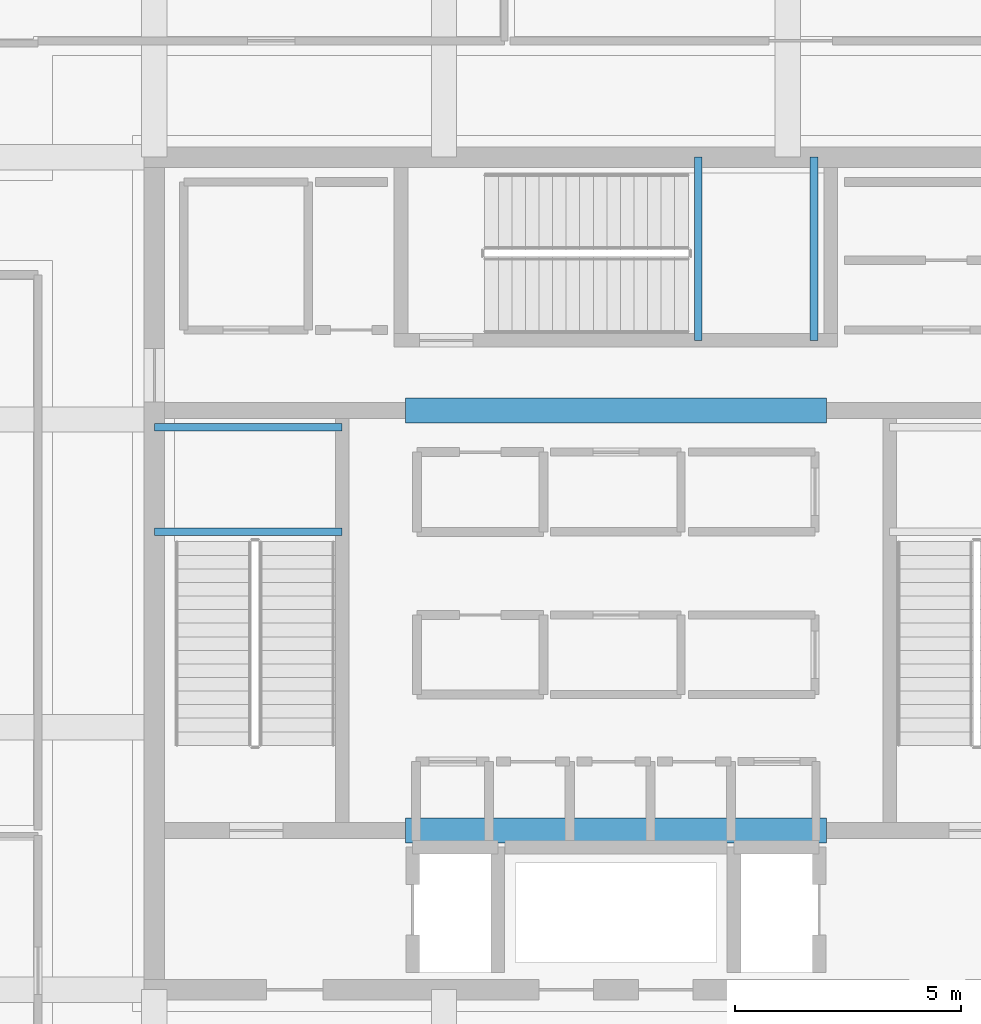
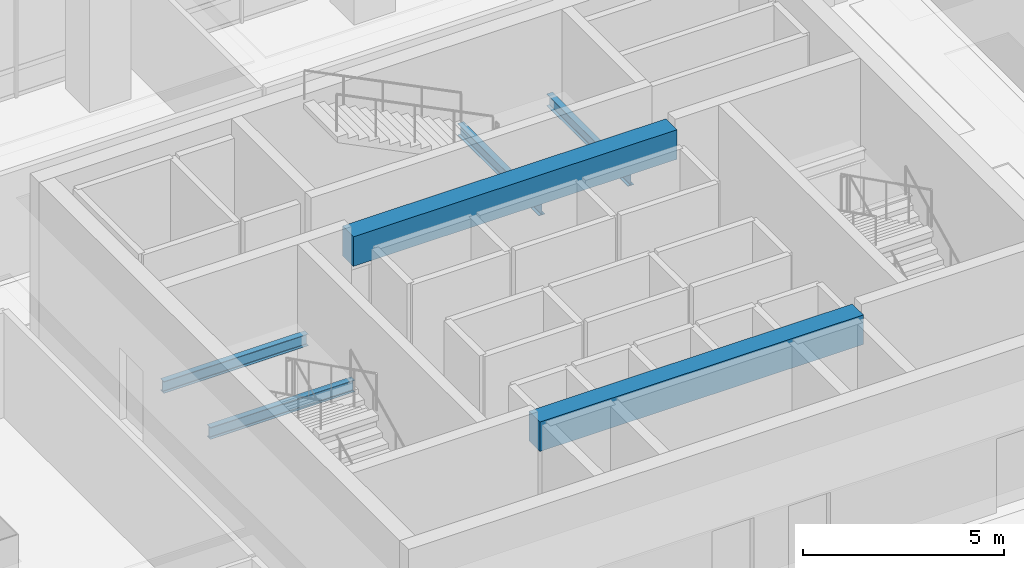
# One storey, part 15 of 45: 6 beams.
"""IFC4 building model written with IfcOpenShell, lengths in metres."""

from ifc_helpers import new_model, si_unit, direction, frame, origin, origin_2d, place, context, subcontext, project, spatial, rectangle, i_section, extrude, material, material_profile, profile_set, type_object, element, save


model = new_model("IFC4")

# Units and contexts
model_context = context("Model", 3, precision=1e-05, world=origin(), true_north=direction((0.0, 1.0)))
body_context = subcontext(model_context, "Body", "Model", "MODEL_VIEW")
ifc_project = project(units=[si_unit("LENGTHUNIT", "METRE"), si_unit("AREAUNIT", "SQUARE_METRE"), si_unit("VOLUMEUNIT", "CUBIC_METRE"), si_unit("PLANEANGLEUNIT", "RADIAN"), si_unit("MASSUNIT", "GRAM", prefix="KILO")], contexts=[model_context])

# Site, building, storey
site_placement = place(None, origin())
site = spatial("IfcSite", under=ifc_project, at=site_placement, CompositionType="ELEMENT")
building_placement = place(site_placement, origin())
building = spatial("IfcBuilding", under=site, at=building_placement, Name="Punatoya Terracotta Tower", CompositionType="ELEMENT")
storey_placement = place(building_placement, frame((0.0, 0.0, 339.0)))
storey = spatial("IfcBuildingStorey", under=building, at=storey_placement, Name="L80", CompositionType="ELEMENT", Elevation=339.0)

# Beams
ifc_material_1 = material(Name="Concrete C50/60", Category="concrete")
ifc_material_profile_1 = material_profile(ifc_material_1, rectangle(XDim=0.550048828125, YDim=0.89990234375, at=origin_2d()))
ifc_profile_set_1 = profile_set([ifc_material_profile_1], Name="Concrete C50/60")
beam_type_1 = type_object("IfcBeamType", Name="BM-RC-900", PredefinedType="LINTEL", material=ifc_profile_set_1)
for number, where, z_axis, x_axis, name in (
    (1, (-4.64990234375, -5.679931640625, 4.10009765625), (1.0, 0.0, 0.0), (0.0, 1.0, 0.0), "L80 Core Coupling Lintel CSW"),
    (2, (-4.64990234375, 3.60009765625, 4.10009765625), (1.0, 0.0, 0.0), (0.0, 1.0, 0.0), "L80 Core Coupling Lintel CNW"),
):
    element("IfcBeam", number, at=place(storey_placement, frame(where, z_axis=z_axis, x_axis=x_axis)), inside=storey, type_object=beam_type_1, Name=name, PredefinedType="LINTEL", context=body_context, shape_type="SweptSolid", body=[
        extrude(rectangle(XDim=0.550048828125, YDim=0.89990234375, at=origin_2d()), origin(), (0.0, 0.0, 1.0), 9.2998046875),
    ])
ifc_material_2 = material(Name="Steel S355", Category="steel")
ifc_material_profile_2 = material_profile(ifc_material_2, i_section(OverallWidth=0.169921875, OverallDepth=0.360107421875, WebThickness=0.008056640625, FlangeThickness=0.0126953125, FilletRadius=0.01806640625, at=origin_2d()))
ifc_profile_set_2 = profile_set([ifc_material_profile_2], Name="Steel S355")
beam_type_2 = type_object("IfcBeamType", Name="BM-SEC-360", PredefinedType="JOIST", material=ifc_profile_set_2)
for number, where, z_axis, x_axis, name in (
    (3, (-10.199951171875, 0.919921875, 2.02001953125), (1.0, 0.0, 0.0), (0.0, 1.0, 0.0), "BM-L80-ST-1-LD1A"),
    (4, (-10.199951171875, 3.22998046875, 2.02001953125), (1.0, 0.0, 0.0), (0.0, 1.0, 0.0), "BM-L80-ST-1-LD1B"),
):
    element("IfcBeam", number, at=place(storey_placement, frame(where, z_axis=z_axis, x_axis=x_axis)), inside=storey, type_object=beam_type_2, Name=name, PredefinedType="JOIST", context=body_context, shape_type="SweptSolid", body=[
        extrude(i_section(OverallWidth=0.169921875, OverallDepth=0.360107421875, WebThickness=0.008056640625, FlangeThickness=0.0126953125, FilletRadius=0.01806640625, at=origin_2d()), origin(), (0.0, 0.0, 1.0), 4.14990234375),
    ])
for number, where, z_axis, x_axis, name in (
    (5, (1.820068359375, 5.14990234375, 2.02001953125), (0.0, 1.0, 0.0), (-1.0, 0.0, 0.0), "BM-L80-ST-3-LD1A"),
    (6, (4.3798828125, 5.14990234375, 2.02001953125), (0.0, 1.0, 0.0), (-1.0, 0.0, 0.0), "BM-L80-ST-3-LD1B"),
):
    element("IfcBeam", number, at=place(storey_placement, frame(where, z_axis=z_axis, x_axis=x_axis)), inside=storey, type_object=beam_type_2, Name=name, PredefinedType="JOIST", context=body_context, shape_type="SweptSolid", body=[
        extrude(i_section(OverallWidth=0.169921875, OverallDepth=0.360107421875, WebThickness=0.008056640625, FlangeThickness=0.0126953125, FilletRadius=0.01806640625, at=origin_2d()), origin(), (0.0, 0.0, 1.0), 4.050048828125),
    ])

save(model, "model.ifc")
